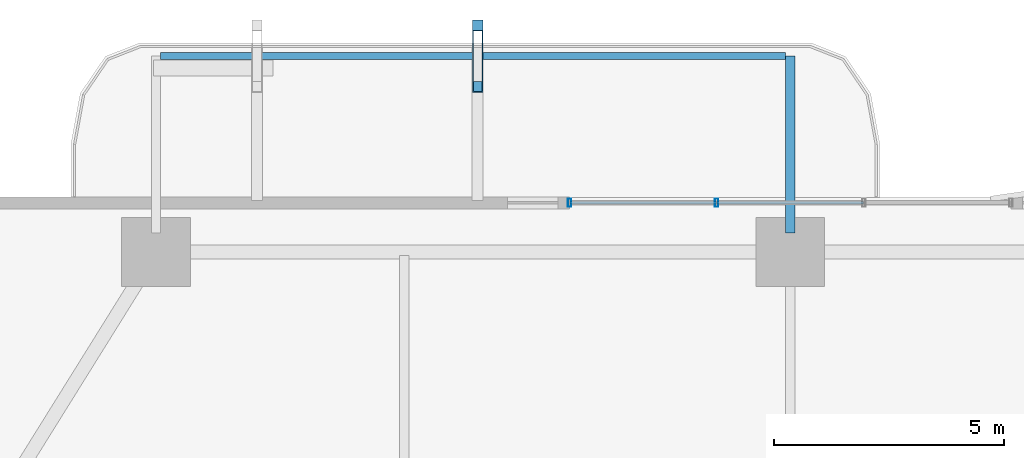
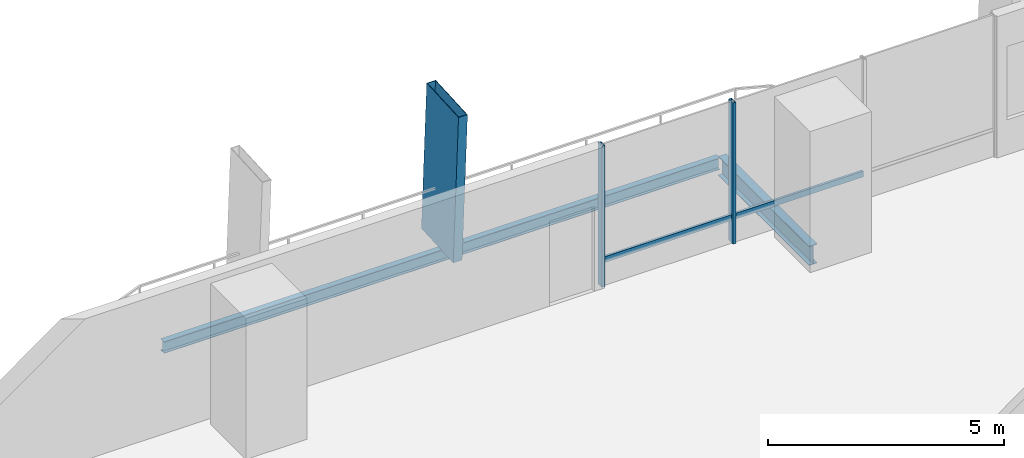
# One storey, part 11 of 24: 5 members, 2 beams, 1 element without a shape of its own.
"""IFC4 building model written with IfcOpenShell, lengths in metres."""

from ifc_helpers import new_model, si_unit, direction, frame, origin, origin_2d, place, context, subcontext, project, spatial, hollow_rectangle, i_section, extrude, material, layer, layer_set, material_profile, profile_set, type_object, element, aggregate, save


model = new_model("IFC4")

# Units and contexts
model_context = context("Model", 3, precision=1e-05, world=origin(), true_north=direction((0.0, 1.0)))
body_context = subcontext(model_context, "Body", "Model", "MODEL_VIEW")
ifc_project = project(units=[si_unit("LENGTHUNIT", "METRE"), si_unit("AREAUNIT", "SQUARE_METRE"), si_unit("VOLUMEUNIT", "CUBIC_METRE"), si_unit("PLANEANGLEUNIT", "RADIAN"), si_unit("MASSUNIT", "GRAM", prefix="KILO")], contexts=[model_context])

# Site, building, storey
site_placement = place(None, origin())
site = spatial("IfcSite", under=ifc_project, at=site_placement, CompositionType="ELEMENT")
building_placement = place(site_placement, origin())
building = spatial("IfcBuilding", under=site, at=building_placement, Name="Belovzor Exchange Tower", CompositionType="ELEMENT")
storey_placement = place(building_placement, frame((0.0, 0.0, 37.800048828125)))
storey = spatial("IfcBuildingStorey", under=building, at=storey_placement, Name="L08", CompositionType="ELEMENT", Elevation=37.800048828125)

# Member
ifc_material_1 = material(Name="Extruded Architectural Terracotta on Steel S355 Carrier", Category="masonry")
ifc_material_profile_1 = material_profile(ifc_material_1, hollow_rectangle(XDim=0.219970703125, YDim=1.35009765625, WallThickness=0.013916015625, at=origin_2d()))
ifc_profile_set_1 = profile_set([ifc_material_profile_1], Name="Extruded Architectural Terracotta on Steel S355 Carrier")
member_type_1 = type_object("IfcMemberType", Name="Base Arc Sweeping Terracotta Pylon Fin 1450", PredefinedType="USERDEFINED", material=ifc_profile_set_1)
member_1_placement = place(storey_placement, frame((22.0, 59.873046875, -0.25), z_axis=(0.0, -0.058121188646, 0.998309534879), x_axis=(1.0, 0.0, 0.0)))
element("IfcMember", 1, at=member_1_placement, inside=storey, type_object=member_type_1, Name="FIN-TC145 Terracotta Facade Fin L08 N2", ObjectType="FIN", PredefinedType="USERDEFINED", context=body_context, shape_type="SweptSolid", body=[
    extrude(hollow_rectangle(XDim=0.219970703125, YDim=1.35009765625, WallThickness=0.013916015625, at=origin_2d()), origin(), (0.0, 0.0, 1.0), 3.906494140625),
])

# Beams
ifc_material_2 = material(Name="Steel S355", Category="steel")
ifc_material_profile_2 = material_profile(ifc_material_2, i_section(OverallWidth=0.199951171875, OverallDepth=0.5, WebThickness=0.01025390625, FlangeThickness=0.01611328125, at=origin_2d()))
ifc_profile_set_2 = profile_set([ifc_material_profile_2], Name="Steel S355")
beam_type_1 = type_object("IfcBeamType", Name="Planted Balcony Cantilever Beam IPE 500", PredefinedType="BEAM", material=ifc_profile_set_2)
beam_1_placement = place(storey_placement, frame((28.800048828125, 55.9130859375, -0.5), z_axis=(0.0, 1.0, 0.0), x_axis=(-1.0, 0.0, 0.0)))
element("IfcBeam", 2, at=beam_1_placement, inside=storey, type_object=beam_type_1, Name="BC-500 Planted Balcony Cantilever Beam IPE 500", PredefinedType="BEAM", context=body_context, shape_type="SweptSolid", body=[
    extrude(i_section(OverallWidth=0.199951171875, OverallDepth=0.5, WebThickness=0.01025390625, FlangeThickness=0.01611328125, at=origin_2d()), origin(), (0.0, 0.0, 1.0), 3.849853515625),
])
ifc_material_3 = material(Name="Steel S355", Category="steel")
ifc_material_profile_3 = material_profile(ifc_material_3, i_section(OverallWidth=0.14990234375, OverallDepth=0.300048828125, WebThickness=0.007080078125, FlangeThickness=0.0107421875, at=origin_2d()))
ifc_profile_set_3 = profile_set([ifc_material_profile_3], Name="Steel S355")
beam_type_2 = type_object("IfcBeamType", Name="Planted Balcony Fascia Edge Beam IPE 300", PredefinedType="BEAM", material=ifc_profile_set_3)
beam_2_placement = place(storey_placement, frame((28.699951171875, 59.762939453125, -0.400146484375), z_axis=(-1.0, 0.0, 0.0), x_axis=(0.0, -1.0, 0.0)))
element("IfcBeam", 3, at=beam_2_placement, inside=storey, type_object=beam_type_2, Name="BC-300 Planted Balcony Fascia Edge Beam IPE 300", PredefinedType="BEAM", context=body_context, shape_type="SweptSolid", body=[
    extrude(i_section(OverallWidth=0.14990234375, OverallDepth=0.300048828125, WebThickness=0.007080078125, FlangeThickness=0.0107421875, at=origin_2d()), origin(), (0.0, 0.0, 1.0), 13.599853515625),
])

# Curtain wall, members
ifc_material_4 = material(Name="Anodised Aluminium Framing", Category="aluminium")
ifc_layer = layer(ifc_material_4, 0.179931640625)
ifc_layer_set = layer_set([ifc_layer], Name="Anodised Aluminium Framing")
curtain_wall_type = type_object("IfcCurtainWallType", Name="Recessed Loggia Low-Iron Triple-Glazed Curtain Wall", PredefinedType="NOTDEFINED", material=ifc_layer_set)
curtain_wall_placement = place(storey_placement, origin())
curtain_wall = element("IfcCurtainWall", 4, at=curtain_wall_placement, inside=storey, type_object=curtain_wall_type, Name="CW3 Recessed Loggia Low-Iron Triple-Glazed Curtain Wall L08", PredefinedType="NOTDEFINED")
ifc_material_5 = material(Name="Steel S355", Category="steel")
ifc_material_profile_4 = material_profile(ifc_material_5, hollow_rectangle(XDim=0.074951171875, YDim=0.179931640625, WallThickness=0.0048828125, at=origin_2d()))
ifc_profile_set_4 = profile_set([ifc_material_profile_4], Name="Steel S355")
member_type_2 = type_object("IfcMemberType", Name="Thermally Broken Curtain Wall Mullion 180x75", PredefinedType="MULLION", material=ifc_profile_set_4)
member_2_placement = place(storey_placement, frame((24.0, 56.570068359375, 0.0), z_axis=(0.0, 0.0, 1.0), x_axis=(1.0, 0.0, 0.0)))
member_2 = element("IfcMember", 5, at=member_2_placement, type_object=member_type_2, Name="CW-M180 Curtain Wall Mullion 1", PredefinedType="MULLION", context=body_context, shape_type="SweptSolid", body=[
    extrude(hollow_rectangle(XDim=0.074951171875, YDim=0.179931640625, WallThickness=0.0048828125, at=origin_2d()), origin(), (0.0, 0.0, 1.0), 3.64990234375),
])
member_3_placement = place(storey_placement, frame((27.199951171875, 56.570068359375, 0.0), z_axis=(0.0, 0.0, 1.0), x_axis=(1.0, 0.0, 0.0)))
member_3 = element("IfcMember", 6, at=member_3_placement, type_object=member_type_2, Name="CW-M180 Curtain Wall Mullion 2", PredefinedType="MULLION", context=body_context, shape_type="SweptSolid", body=[
    extrude(hollow_rectangle(XDim=0.074951171875, YDim=0.179931640625, WallThickness=0.0048828125, at=origin_2d()), origin(), (0.0, 0.0, 1.0), 3.64990234375),
])
ifc_material_6 = material(Name="Steel S355", Category="steel")
ifc_material_profile_5 = material_profile(ifc_material_6, hollow_rectangle(XDim=0.06005859375, YDim=0.14990234375, WallThickness=0.00390625, at=origin_2d()))
ifc_profile_set_5 = profile_set([ifc_material_profile_5], Name="Steel S355")
member_type_3 = type_object("IfcMemberType", Name="Thermally Broken Curtain Wall Transom 150x60", PredefinedType="USERDEFINED", material=ifc_profile_set_5)
member_4_placement = place(storey_placement, frame((24.008056640625, 56.570068359375, 0.64990234375), z_axis=(1.0, 0.0, 0.0), x_axis=(0.0, 1.0, 0.0)))
member_4 = element("IfcMember", 7, at=member_4_placement, type_object=member_type_3, Name="CW-T150 Curtain Wall Transom 1", ObjectType="TRANSOM", PredefinedType="USERDEFINED", context=body_context, shape_type="SweptSolid", body=[
    extrude(hollow_rectangle(XDim=0.06005859375, YDim=0.14990234375, WallThickness=0.00390625, at=origin_2d()), origin(), (0.0, 0.0, 1.0), 3.183837890625),
])
member_5_placement = place(storey_placement, frame((27.2080078125, 56.570068359375, 0.64990234375), z_axis=(1.0, 0.0, 0.0), x_axis=(0.0, 1.0, 0.0)))
member_5 = element("IfcMember", 8, at=member_5_placement, type_object=member_type_3, Name="CW-T150 Curtain Wall Transom 2", ObjectType="TRANSOM", PredefinedType="USERDEFINED", context=body_context, shape_type="SweptSolid", body=[
    extrude(hollow_rectangle(XDim=0.06005859375, YDim=0.14990234375, WallThickness=0.00390625, at=origin_2d()), origin(), (0.0, 0.0, 1.0), 3.18408203125),
])
aggregate(curtain_wall, [member_2, member_3, member_4, member_5])

save(model, "model.ifc")
